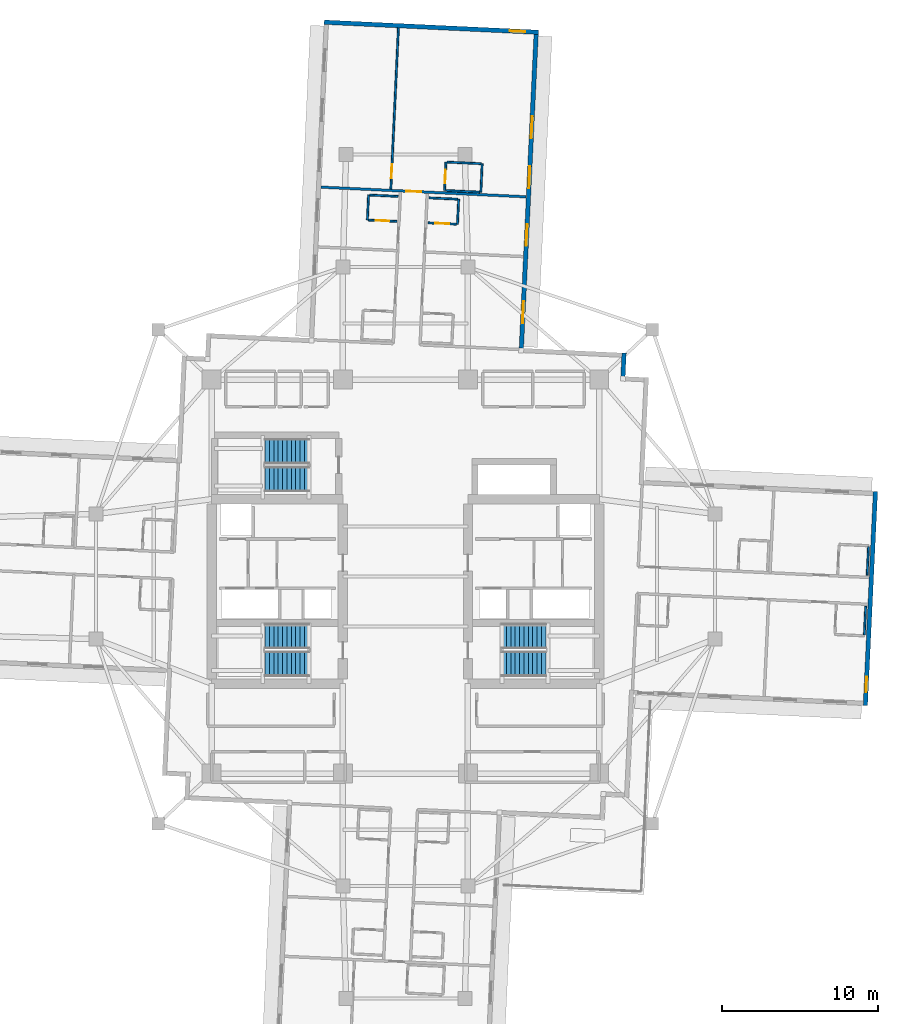
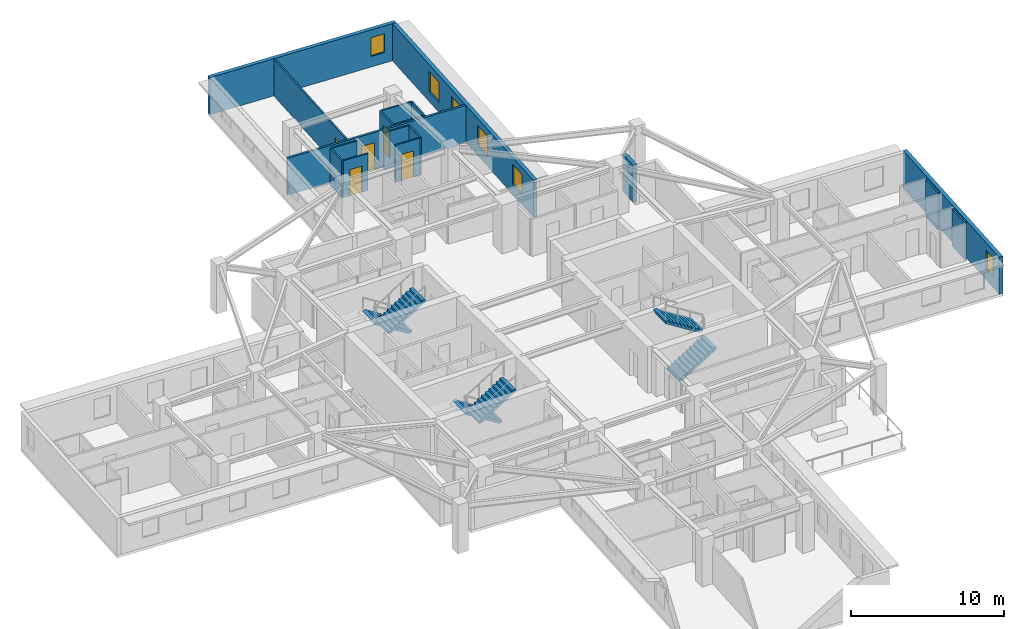
# One storey, part 9 of 14: 18 walls, 6 stair flights, 6 windows, 5 doors, 11 openings, 3 elements without a shape of their own.
"""IFC4 building model written with IfcOpenShell, lengths in metres."""

from ifc_helpers import new_model, si_unit, direction, frame, frame_2d, origin, place, context, subcontext, project, spatial, polyline, rectangle, outline, extrude, material, layer, layer_set, type_object, element, fill, aggregate, save


model = new_model("IFC4")

# Units and contexts
model_context = context("Model", 3, precision=1e-05, world=origin(), true_north=direction((0.0, 1.0)))
body_context = subcontext(model_context, "Body", "Model", "MODEL_VIEW")
ifc_project = project(units=[si_unit("LENGTHUNIT", "METRE"), si_unit("AREAUNIT", "SQUARE_METRE"), si_unit("VOLUMEUNIT", "CUBIC_METRE"), si_unit("PLANEANGLEUNIT", "RADIAN"), si_unit("MASSUNIT", "GRAM", prefix="KILO")], contexts=[model_context])

# Site, building, storey
site_placement = place(None, origin())
site = spatial("IfcSite", under=ifc_project, at=site_placement, CompositionType="ELEMENT")
building_placement = place(site_placement, origin())
building = spatial("IfcBuilding", under=site, at=building_placement, Name="Qingluan Cross Belvedere", CompositionType="ELEMENT")
storey_placement = place(building_placement, frame((0.0, 0.0, 172.199951171875)))
storey = spatial("IfcBuildingStorey", under=building, at=storey_placement, Name="L43", CompositionType="ELEMENT", Elevation=172.199951171875)

# Wall, opening, door
ifc_material_1 = material(Name="Gypsum plasterboard on steel stud acoustic partition", Category="steel")
ifc_layer_1 = layer(ifc_material_1, 0.159912109375, Name="CorridorPartition_160")
ifc_layer_set_1 = layer_set([ifc_layer_1], Name="Gypsum plasterboard on steel stud acoustic partition")
wall_type_1 = type_object("IfcWallType", Name="CorridorPartition_160", PredefinedType="PARTITIONING", material=ifc_layer_set_1)
wall_1_placement = place(storey_placement, frame((-5.404541015625, 24.912109375, 0.0), z_axis=(0.0, 0.0, 1.0), x_axis=(0.998889967692, -0.047104484326, 0.0)))
wall_1 = element("IfcWall", 1, at=wall_1_placement, inside=storey, type_object=wall_type_1, Name="Partition L43:Ncap:in", PredefinedType="PARTITIONING", context=body_context, shape_type="SweptSolid", body=[
    extrude(rectangle(XDim=13.14404296875, YDim=0.159912109375, at=frame_2d((6.572021484375, 0.0))), origin(), (0.0, 0.0, 1.0), 2.9599609375),
])
opening_1_placement = place(wall_1_placement, frame((5.471923828125, 0.0, 0.0)))
opening_1 = element("IfcOpeningElement", 2, at=opening_1_placement, cuts=wall_1, Name="Opening GD-10", PredefinedType="OPENING", context=body_context, shape_type="SweptSolid", body=[
    extrude(rectangle(XDim=0.9599609375, YDim=2.14990234375, at=frame_2d((0.47998046875, 1.074951171875))), frame((0.0, 0.08984375, 0.0), z_axis=(0.0, -1.0, 0.0), x_axis=(1.0, 0.0, 0.0)), (0.0, 0.0, 1.0), 0.179931640625),
])
ifc_material_2 = material(Name="Timber oak fire-rated acoustic guestroom door", Category="wood")
door_type_1 = type_object("IfcDoorType", Name="GuestEntryDoor_FD60", OperationType="NOTDEFINED", PredefinedType="DOOR", material=ifc_material_2)
door_1_placement = place(opening_1_placement, origin())
door_1 = element("IfcDoor", 3, at=door_1_placement, inside=storey, type_object=door_type_1, Name="Horizon corner suite door L43N", OperationType="SINGLE_SWING_LEFT", OverallHeight=2.14990234375, OverallWidth=0.9599609375, PredefinedType="DOOR", context=body_context, shape_type="SweptSolid", body=[
    extrude(rectangle(XDim=0.9599609375, YDim=2.14990234375, at=frame_2d((0.47998046875, 1.074951171875))), frame((0.0, 0.02490234375, 0.0), z_axis=(0.0, -1.0, 0.0), x_axis=(1.0, 0.0, 0.0)), (0.0, 0.0, 1.0), 0.050048828125),
])
fill(opening_1, door_1)

# Walls
ifc_material_3 = material(Name="Moisture-resistant gypsum board lining")
ifc_layer_2 = layer(ifc_material_3, 0.1201171875, Name="EnsuiteWetPartition_120")
ifc_layer_set_2 = layer_set([ifc_layer_2], Name="Moisture-resistant gypsum board lining")
wall_type_2 = type_object("IfcWallType", Name="EnsuiteWetPartition_120", PredefinedType="PARTITIONING", material=ifc_layer_set_2)
wall_2_placement = place(storey_placement, frame((29.537109375, 0.088623046875, 0.0), z_axis=(0.0, 0.0, 1.0), x_axis=(0.047080807099, 0.998891083954, 0.0)))
element("IfcWall", 4, at=wall_2_placement, inside=storey, type_object=wall_type_2, Name="Partition L43:E:bw0_1", PredefinedType="PARTITIONING", context=body_context, shape_type="SweptSolid", body=[
    extrude(rectangle(XDim=1.820068359375, YDim=0.1201171875, at=frame_2d((0.91015625, 0.0))), origin(), (0.0, 0.0, 1.0), 2.9599609375),
])
wall_3_placement = place(storey_placement, frame((29.35693359375, -3.72705078125, 0.0), z_axis=(0.0, 0.0, 1.0), x_axis=(0.047220968666, 0.998884467853, 0.0)))
element("IfcWall", 5, at=wall_3_placement, inside=storey, type_object=wall_type_2, Name="Partition L43:E:bw1_1", PredefinedType="PARTITIONING", context=body_context, shape_type="SweptSolid", body=[
    extrude(rectangle(XDim=1.81982421875, YDim=0.1201171875, at=frame_2d((0.909912109375, 0.0))), origin(), (0.0, 0.0, 1.0), 2.9599609375),
])

# Wall, opening, door
wall_4_placement = place(storey_placement, frame((1.447509765625, 22.626953125, 0.0), z_axis=(0.0, 0.0, 1.0), x_axis=(0.998890786574, -0.047087116047, 0.0)))
wall_4 = element("IfcWall", 6, at=wall_4_placement, inside=storey, type_object=wall_type_2, Name="Partition L43:N:bs0_1", PredefinedType="PARTITIONING", context=body_context, shape_type="SweptSolid", body=[
    extrude(rectangle(XDim=1.81982421875, YDim=0.1201171875, at=frame_2d((0.909912109375, 0.0))), origin(), (0.0, 0.0, 1.0), 2.9599609375),
])
opening_2_placement = place(wall_4_placement, frame((0.469970703125, 0.0, 0.0)))
opening_2 = element("IfcOpeningElement", 7, at=opening_2_placement, cuts=wall_4, Name="Opening BD-09", PredefinedType="OPENING", context=body_context, shape_type="SweptSolid", body=[
    extrude(rectangle(XDim=0.8798828125, YDim=2.10009765625, at=frame_2d((0.43994140625, 1.050048828125))), frame((0.0, 0.070068359375, 0.0), z_axis=(0.0, -1.0, 0.0), x_axis=(1.0, 0.0, 0.0)), (0.0, 0.0, 1.0), 0.14013671875),
])
ifc_material_4 = material(Name="Moisture-sealed timber en-suite door", Category="wood")
door_type_2 = type_object("IfcDoorType", Name="BathroomDoor_880", OperationType="NOTDEFINED", PredefinedType="DOOR", material=ifc_material_4)
door_2_placement = place(opening_2_placement, origin())
door_2 = element("IfcDoor", 8, at=door_2_placement, inside=storey, type_object=door_type_2, Name="Bathroom door 4312", OperationType="SINGLE_SWING_LEFT", OverallHeight=2.10009765625, OverallWidth=0.8798828125, PredefinedType="DOOR", context=body_context, shape_type="SweptSolid", body=[
    extrude(rectangle(XDim=0.8798828125, YDim=2.10009765625, at=frame_2d((0.43994140625, 1.050048828125))), frame((0.0, 0.02490234375, 0.0), z_axis=(0.0, -1.0, 0.0), x_axis=(1.0, 0.0, 0.0)), (0.0, 0.0, 1.0), 0.050048828125),
])
fill(opening_2, door_2)

# Walls
wall_5_placement = place(storey_placement, frame((1.52294921875, 24.22509765625, 0.0), z_axis=(0.0, 0.0, 1.0), x_axis=(0.998890786574, -0.047087116047, 0.0)))
element("IfcWall", 9, at=wall_5_placement, inside=storey, type_object=wall_type_2, Name="Partition L43:N:bw0_1", PredefinedType="PARTITIONING", context=body_context, shape_type="SweptSolid", body=[
    extrude(rectangle(XDim=1.81982421875, YDim=0.1201171875, at=frame_2d((0.909912109375, 0.0))), origin(), (0.0, 0.0, 1.0), 2.9599609375),
])
wall_6_placement = place(storey_placement, frame((3.330322265625, 22.5380859375, 0.0), z_axis=(0.0, 0.0, 1.0), x_axis=(0.047144709581, 0.998888069985, 0.0)))
element("IfcWall", 10, at=wall_6_placement, inside=storey, type_object=wall_type_2, Name="Partition L43:N:bn0_1", PredefinedType="PARTITIONING", context=body_context, shape_type="SweptSolid", body=[
    extrude(rectangle(XDim=1.60009765625, YDim=0.1201171875, at=frame_2d((0.800048828125, 0.0))), origin(), (0.0, 0.0, 1.0), 2.9599609375),
])

# Wall, opening, door
wall_7_placement = place(storey_placement, frame((-2.368408203125, 22.806884765625, 0.0), z_axis=(0.0, 0.0, 1.0), x_axis=(0.998891083954, -0.047080807099, 0.0)))
wall_7 = element("IfcWall", 11, at=wall_7_placement, inside=storey, type_object=wall_type_2, Name="Partition L43:N:bs1_1", PredefinedType="PARTITIONING", context=body_context, shape_type="SweptSolid", body=[
    extrude(rectangle(XDim=1.820068359375, YDim=0.1201171875, at=frame_2d((0.91015625, 0.0))), origin(), (0.0, 0.0, 1.0), 2.9599609375),
])
opening_3_placement = place(wall_7_placement, frame((0.469970703125, 0.0, 0.0)))
opening_3 = element("IfcOpeningElement", 12, at=opening_3_placement, cuts=wall_7, Name="Opening BD-09", PredefinedType="OPENING", context=body_context, shape_type="SweptSolid", body=[
    extrude(rectangle(XDim=0.8798828125, YDim=2.10009765625, at=frame_2d((0.43994140625, 1.050048828125))), frame((0.0, 0.070068359375, 0.0), z_axis=(0.0, -1.0, 0.0), x_axis=(1.0, 0.0, 0.0)), (0.0, 0.0, 1.0), 0.14013671875),
])
door_3_placement = place(opening_3_placement, origin())
door_3 = element("IfcDoor", 13, at=door_3_placement, inside=storey, type_object=door_type_2, Name="Bathroom door 4314", OperationType="SINGLE_SWING_LEFT", OverallHeight=2.10009765625, OverallWidth=0.8798828125, PredefinedType="DOOR", context=body_context, shape_type="SweptSolid", body=[
    extrude(rectangle(XDim=0.8798828125, YDim=2.10009765625, at=frame_2d((0.43994140625, 1.050048828125))), frame((0.0, 0.02490234375, 0.0), z_axis=(0.0, -1.0, 0.0), x_axis=(1.0, 0.0, 0.0)), (0.0, 0.0, 1.0), 0.050048828125),
])
fill(opening_3, door_3)

# Walls
wall_8_placement = place(storey_placement, frame((-2.29296875, 24.405029296875, 0.0), z_axis=(0.0, 0.0, 1.0), x_axis=(0.998891083954, -0.047080807099, 0.0)))
element("IfcWall", 14, at=wall_8_placement, inside=storey, type_object=wall_type_2, Name="Partition L43:N:bw1_1", PredefinedType="PARTITIONING", context=body_context, shape_type="SweptSolid", body=[
    extrude(rectangle(XDim=1.820068359375, YDim=0.1201171875, at=frame_2d((0.91015625, 0.0))), origin(), (0.0, 0.0, 1.0), 2.9599609375),
])
wall_9_placement = place(storey_placement, frame((-2.43310546875, 22.809814453125, 0.0), z_axis=(0.0, 0.0, 1.0), x_axis=(0.046992475174, 0.998895243395, 0.0)))
element("IfcWall", 15, at=wall_9_placement, inside=storey, type_object=wall_type_2, Name="Partition L43:N:bc1_1", PredefinedType="PARTITIONING", context=body_context, shape_type="SweptSolid", body=[
    extrude(rectangle(XDim=1.60009765625, YDim=0.1201171875, at=frame_2d((0.800048828125, 0.0))), origin(), (0.0, 0.0, 1.0), 2.9599609375),
])

# Wall, opening, door
wall_10_placement = place(storey_placement, frame((-0.93310546875, 24.79150390625, 0.0), z_axis=(0.0, 0.0, 1.0), x_axis=(0.047090456762, 0.998890629089, 0.0)))
wall_10 = element("IfcWall", 16, at=wall_10_placement, inside=storey, type_object=wall_type_2, Name="Partition L43:Ncap:m2", PredefinedType="PARTITIONING", context=body_context, shape_type="SweptSolid", body=[
    extrude(rectangle(XDim=10.31201171875, YDim=0.1201171875, at=frame_2d((5.156005859375, 0.0))), origin(), (0.0, 0.0, 1.0), 2.9599609375),
])
opening_4_placement = place(wall_10_placement, frame((0.699951171875, 0.0, 0.0)))
opening_4 = element("IfcOpeningElement", 17, at=opening_4_placement, cuts=wall_10, Name="Opening BD-89", PredefinedType="OPENING", context=body_context, shape_type="SweptSolid", body=[
    extrude(rectangle(XDim=0.89990234375, YDim=2.10009765625, at=frame_2d((0.449951171875, 1.050048828125))), frame((0.0, 0.070068359375, 0.0), z_axis=(0.0, -1.0, 0.0), x_axis=(1.0, 0.0, 0.0)), (0.0, 0.0, 1.0), 0.14013671875),
])
ifc_material_5 = material(Name="Timber acoustic study door", Category="wood")
door_type_3 = type_object("IfcDoorType", Name="SuiteStudyDoor_900", OperationType="NOTDEFINED", PredefinedType="DOOR", material=ifc_material_5)
door_4_placement = place(opening_4_placement, origin())
door_4 = element("IfcDoor", 18, at=door_4_placement, inside=storey, type_object=door_type_3, Name="Suite private study door L43N", OperationType="SINGLE_SWING_LEFT", OverallHeight=2.10009765625, OverallWidth=0.89990234375, PredefinedType="DOOR", context=body_context, shape_type="SweptSolid", body=[
    extrude(rectangle(XDim=0.89990234375, YDim=2.10009765625, at=frame_2d((0.449951171875, 1.050048828125))), frame((0.0, 0.02490234375, 0.0), z_axis=(0.0, -1.0, 0.0), x_axis=(1.0, 0.0, 0.0)), (0.0, 0.0, 1.0), 0.050048828125),
])
fill(opening_4, door_4)

wall_11_placement = place(storey_placement, frame((2.50634765625, 24.699462890625, 0.0), z_axis=(0.0, 0.0, 1.0), x_axis=(0.047087116047, 0.998890786574, 0.0)))
wall_11 = element("IfcWall", 19, at=wall_11_placement, inside=storey, type_object=wall_type_2, Name="Partition L43:Ncap:b2s", PredefinedType="PARTITIONING", context=body_context, shape_type="SweptSolid", body=[
    extrude(rectangle(XDim=1.81982421875, YDim=0.1201171875, at=frame_2d((0.909912109375, 0.0))), origin(), (0.0, 0.0, 1.0), 2.9599609375),
])
opening_5_placement = place(wall_11_placement, frame((0.449951171875, 0.0, 0.0)))
opening_5 = element("IfcOpeningElement", 20, at=opening_5_placement, cuts=wall_11, Name="Opening BD-09", PredefinedType="OPENING", context=body_context, shape_type="SweptSolid", body=[
    extrude(rectangle(XDim=0.8798828125, YDim=2.10009765625, at=frame_2d((0.43994140625, 1.050048828125))), frame((0.0, 0.070068359375, 0.0), z_axis=(0.0, -1.0, 0.0), x_axis=(1.0, 0.0, 0.0)), (0.0, 0.0, 1.0), 0.14013671875),
])
door_5_placement = place(opening_5_placement, origin())
door_5 = element("IfcDoor", 21, at=door_5_placement, inside=storey, type_object=door_type_2, Name="En-suite bathroom door L43N", OperationType="SINGLE_SWING_RIGHT", OverallHeight=2.10009765625, OverallWidth=0.8798828125, PredefinedType="DOOR", context=body_context, shape_type="SweptSolid", body=[
    extrude(rectangle(XDim=0.8798828125, YDim=2.10009765625, at=frame_2d((0.43994140625, 1.050048828125))), frame((0.0, 0.02490234375, 0.0), z_axis=(0.0, -1.0, 0.0), x_axis=(1.0, 0.0, 0.0)), (0.0, 0.0, 1.0), 0.050048828125),
])
fill(opening_5, door_5)

# Walls
wall_12_placement = place(storey_placement, frame((4.82373046875, 24.590087890625, 0.0), z_axis=(0.0, 0.0, 1.0), x_axis=(0.047087116047, 0.998890786574, 0.0)))
element("IfcWall", 22, at=wall_12_placement, inside=storey, type_object=wall_type_2, Name="Partition L43:Ncap:b2b", PredefinedType="PARTITIONING", context=body_context, shape_type="SweptSolid", body=[
    extrude(rectangle(XDim=1.81982421875, YDim=0.1201171875, at=frame_2d((0.909912109375, 0.0))), origin(), (0.0, 0.0, 1.0), 2.9599609375),
])
for number, where, z_axis, x_axis, name in (
    (23, (2.576171875, 24.696044921875, 0.0), (0.0, 0.0, 1.0), (0.998893331673, -0.047033094092, 0.0), "Partition L43:Ncap:b2a"),
    (24, (2.661865234375, 26.513916015625, 0.0), (0.0, 0.0, 1.0), (0.998893331673, -0.047033094092, 0.0), "Partition L43:Ncap:b2n"),
):
    element("IfcWall", number, at=place(storey_placement, frame(where, z_axis=z_axis, x_axis=x_axis)), inside=storey, type_object=wall_type_2, Name=name, PredefinedType="PARTITIONING", context=body_context, shape_type="SweptSolid", body=[
        extrude(rectangle(XDim=2.18017578125, YDim=0.1201171875, at=frame_2d((1.090087890625, 0.0))), origin(), (0.0, 0.0, 1.0), 2.9599609375),
    ])

# Wall, opening, window
ifc_material_6 = material(Name="Precast concrete C45", Category="concrete")
ifc_layer_3 = layer(ifc_material_6, 0.280029296875, Name="PrecastFacadeWall_280")
ifc_layer_set_3 = layer_set([ifc_layer_3], Name="Precast concrete C45")
wall_type_3 = type_object("IfcWallType", Name="PrecastFacadeWall_280", PredefinedType="STANDARD", material=ifc_layer_set_3)
wall_13_placement = place(storey_placement, frame((29.423828125, -8.255126953125, 0.0), z_axis=(0.0, 0.0, 1.0), x_axis=(0.047101845086, 0.998890092147, 0.0)))
wall_13 = element("IfcWall", 25, at=wall_13_placement, inside=storey, type_object=wall_type_3, Name="Arm tip precast facade wall L43-E", PredefinedType="STANDARD", context=body_context, shape_type="SweptSolid", body=[
    extrude(rectangle(XDim=13.719970703125, YDim=0.280029296875, at=frame_2d((6.85986328125, 0.0))), origin(), (0.0, 0.0, 1.0), 2.969970703125),
])
opening_6_placement = place(wall_13_placement, frame((0.85009765625, 0.0, 0.85009765625)))
opening_6 = element("IfcOpeningElement", 26, at=opening_6_placement, cuts=wall_13, Name="Opening W-03", PredefinedType="OPENING", context=body_context, shape_type="SweptSolid", body=[
    extrude(rectangle(XDim=1.0, YDim=1.5, at=frame_2d((0.5, 0.75))), frame((0.0, 0.14990234375, 0.0), z_axis=(0.0, -1.0, 0.0), x_axis=(1.0, 0.0, 0.0)), (0.0, 0.0, 1.0), 0.300048828125),
])
ifc_material_7 = material(Name="Thermally broken triple Low-E glass in aluminium frame", Category="aluminium")
window_type_1 = type_object("IfcWindowType", Name="TriApexWin_1000x1500", PartitioningType="SINGLE_PANEL", PredefinedType="WINDOW", material=ifc_material_7)
window_1_placement = place(opening_6_placement, origin())
window_1 = element("IfcWindow", 27, at=window_1_placement, inside=storey, type_object=window_type_1, Name="Arm tip triangular window L43-E", OverallHeight=1.5, OverallWidth=1.0, PartitioningType="SINGLE_PANEL", PredefinedType="WINDOW", context=body_context, shape_type="SweptSolid", body=[
    extrude(rectangle(XDim=1.0, YDim=1.5, at=frame_2d((0.5, 0.75))), frame((0.0, 0.030029296875, 0.0), z_axis=(0.0, -1.0, 0.0), x_axis=(1.0, 0.0, 0.0)), (0.0, 0.0, 1.0), 0.06005859375),
])
fill(opening_6, window_1)

# Wall, openings, windows
wall_14_placement = place(storey_placement, frame((7.416259765625, 14.60693359375, 0.0), z_axis=(0.0, 0.0, 1.0), x_axis=(0.047103473814, 0.998890015344, 0.0)))
wall_14 = element("IfcWall", 28, at=wall_14_placement, inside=storey, type_object=wall_type_3, Name="Facade wall L43-NA", PredefinedType="STANDARD", context=body_context, shape_type="SweptSolid", body=[
    extrude(rectangle(XDim=20.099853515625, YDim=0.280029296875, at=frame_2d((10.0498046875, 0.0))), origin(), (0.0, 0.0, 1.0), 2.969970703125),
])
opening_7_placement = place(wall_14_placement, frame((1.60009765625, 0.0, 0.800048828125)))
opening_7 = element("IfcOpeningElement", 29, at=opening_7_placement, cuts=wall_14, Name="Opening W-01", PredefinedType="OPENING", context=body_context, shape_type="SweptSolid", body=[
    extrude(rectangle(XDim=1.39990234375, YDim=1.60009765625, at=frame_2d((0.699951171875, 0.800048828125))), frame((0.0, 0.14990234375, 0.0), z_axis=(0.0, -1.0, 0.0), x_axis=(1.0, 0.0, 0.0)), (0.0, 0.0, 1.0), 0.300048828125),
])
opening_8_placement = place(wall_14_placement, frame((6.550048828125, 0.0, 0.800048828125)))
opening_8 = element("IfcOpeningElement", 30, at=opening_8_placement, cuts=wall_14, Name="Opening W-01", PredefinedType="OPENING", context=body_context, shape_type="SweptSolid", body=[
    extrude(rectangle(XDim=1.39990234375, YDim=1.60009765625, at=frame_2d((0.699951171875, 0.800048828125))), frame((0.0, 0.14990234375, 0.0), z_axis=(0.0, -1.0, 0.0), x_axis=(1.0, 0.0, 0.0)), (0.0, 0.0, 1.0), 0.300048828125),
])
opening_9_placement = place(wall_14_placement, frame((10.25, 0.0, 0.800048828125)))
opening_9 = element("IfcOpeningElement", 31, at=opening_9_placement, cuts=wall_14, Name="Opening W-01", PredefinedType="OPENING", context=body_context, shape_type="SweptSolid", body=[
    extrude(rectangle(XDim=1.39990234375, YDim=1.60009765625, at=frame_2d((0.699951171875, 0.800048828125))), frame((0.0, 0.14990234375, 0.0), z_axis=(0.0, -1.0, 0.0), x_axis=(1.0, 0.0, 0.0)), (0.0, 0.0, 1.0), 0.300048828125),
])
opening_10_placement = place(wall_14_placement, frame((13.449951171875, 0.0, 0.800048828125)))
opening_10 = element("IfcOpeningElement", 32, at=opening_10_placement, cuts=wall_14, Name="Opening W-01", PredefinedType="OPENING", context=body_context, shape_type="SweptSolid", body=[
    extrude(rectangle(XDim=1.39990234375, YDim=1.60009765625, at=frame_2d((0.699951171875, 0.800048828125))), frame((0.0, 0.14990234375, 0.0), z_axis=(0.0, -1.0, 0.0), x_axis=(1.0, 0.0, 0.0)), (0.0, 0.0, 1.0), 0.300048828125),
])
ifc_material_8 = material(Name="Thermally broken triple Low-E glass in aluminium frame", Category="aluminium")
window_type_2 = type_object("IfcWindowType", Name="TriRibbonWin_1400x1600", PartitioningType="SINGLE_PANEL", PredefinedType="WINDOW", material=ifc_material_8)
window_2_placement = place(opening_7_placement, origin())
window_2 = element("IfcWindow", 33, at=window_2_placement, inside=storey, type_object=window_type_2, Name="Ribbon window L43-NA-1", OverallHeight=1.60009765625, OverallWidth=1.39990234375, PartitioningType="SINGLE_PANEL", PredefinedType="WINDOW", context=body_context, shape_type="SweptSolid", body=[
    extrude(rectangle(XDim=1.39990234375, YDim=1.60009765625, at=frame_2d((0.699951171875, 0.800048828125))), frame((0.0, 0.030029296875, 0.0), z_axis=(0.0, -1.0, 0.0), x_axis=(1.0, 0.0, 0.0)), (0.0, 0.0, 1.0), 0.06005859375),
])
fill(opening_7, window_2)
window_3_placement = place(opening_8_placement, origin())
window_3 = element("IfcWindow", 34, at=window_3_placement, inside=storey, type_object=window_type_2, Name="Ribbon window L43-NA-2", OverallHeight=1.60009765625, OverallWidth=1.39990234375, PartitioningType="SINGLE_PANEL", PredefinedType="WINDOW", context=body_context, shape_type="SweptSolid", body=[
    extrude(rectangle(XDim=1.39990234375, YDim=1.60009765625, at=frame_2d((0.699951171875, 0.800048828125))), frame((0.0, 0.030029296875, 0.0), z_axis=(0.0, -1.0, 0.0), x_axis=(1.0, 0.0, 0.0)), (0.0, 0.0, 1.0), 0.06005859375),
])
fill(opening_8, window_3)
window_4_placement = place(opening_9_placement, origin())
window_4 = element("IfcWindow", 35, at=window_4_placement, inside=storey, type_object=window_type_2, Name="Ribbon window L43-NA-3", OverallHeight=1.60009765625, OverallWidth=1.39990234375, PartitioningType="SINGLE_PANEL", PredefinedType="WINDOW", context=body_context, shape_type="SweptSolid", body=[
    extrude(rectangle(XDim=1.39990234375, YDim=1.60009765625, at=frame_2d((0.699951171875, 0.800048828125))), frame((0.0, 0.030029296875, 0.0), z_axis=(0.0, -1.0, 0.0), x_axis=(1.0, 0.0, 0.0)), (0.0, 0.0, 1.0), 0.06005859375),
])
fill(opening_9, window_4)
window_5_placement = place(opening_10_placement, origin())
window_5 = element("IfcWindow", 36, at=window_5_placement, inside=storey, type_object=window_type_2, Name="Ribbon window L43-NA-4", OverallHeight=1.60009765625, OverallWidth=1.39990234375, PartitioningType="SINGLE_PANEL", PredefinedType="WINDOW", context=body_context, shape_type="SweptSolid", body=[
    extrude(rectangle(XDim=1.39990234375, YDim=1.60009765625, at=frame_2d((0.699951171875, 0.800048828125))), frame((0.0, 0.030029296875, 0.0), z_axis=(0.0, -1.0, 0.0), x_axis=(1.0, 0.0, 0.0)), (0.0, 0.0, 1.0), 0.06005859375),
])
fill(opening_10, window_5)

# Wall, opening, window
wall_15_placement = place(storey_placement, frame((8.509521484375, 34.81787109375, 0.0), z_axis=(0.0, 0.0, 1.0), x_axis=(-0.998890092147, 0.047101845086, 0.0)))
wall_15 = element("IfcWall", 37, at=wall_15_placement, inside=storey, type_object=wall_type_3, Name="Arm tip precast facade wall L43-N", PredefinedType="STANDARD", context=body_context, shape_type="SweptSolid", body=[
    extrude(rectangle(XDim=13.719970703125, YDim=0.280029296875, at=frame_2d((6.85986328125, 0.0))), origin(), (0.0, 0.0, 1.0), 2.969970703125),
])
opening_11_placement = place(wall_15_placement, frame((0.85009765625, 0.0, 0.85009765625)))
opening_11 = element("IfcOpeningElement", 38, at=opening_11_placement, cuts=wall_15, Name="Opening W-03", PredefinedType="OPENING", context=body_context, shape_type="SweptSolid", body=[
    extrude(rectangle(XDim=1.0, YDim=1.5, at=frame_2d((0.5, 0.75))), frame((0.0, 0.14990234375, 0.0), z_axis=(0.0, -1.0, 0.0), x_axis=(1.0, 0.0, 0.0)), (0.0, 0.0, 1.0), 0.300048828125),
])
window_6_placement = place(opening_11_placement, origin())
window_6 = element("IfcWindow", 39, at=window_6_placement, inside=storey, type_object=window_type_1, Name="Arm tip triangular window L43-N", OverallHeight=1.5, OverallWidth=1.0, PartitioningType="SINGLE_PANEL", PredefinedType="WINDOW", context=body_context, shape_type="SweptSolid", body=[
    extrude(rectangle(XDim=1.0, YDim=1.5, at=frame_2d((0.5, 0.75))), frame((0.0, 0.030029296875, 0.0), z_axis=(0.0, -1.0, 0.0), x_axis=(1.0, 0.0, 0.0)), (0.0, 0.0, 1.0), 0.06005859375),
])
fill(opening_11, window_6)

# Wall
wall_16_placement = place(storey_placement, frame((13.918212890625, 12.798583984375, 0.0), z_axis=(0.0, 0.0, 1.0), x_axis=(0.047201688113, 0.99888537913, 0.0)))
element("IfcWall", 40, at=wall_16_placement, inside=storey, type_object=wall_type_3, Name="Corner wall L43-NE3", PredefinedType="STANDARD", context=body_context, shape_type="SweptSolid", body=[
    extrude(rectangle(XDim=1.5, YDim=0.280029296875, at=frame_2d((0.75, 0.0))), origin(), (0.0, 0.0, 1.0), 2.969970703125),
])

# Stair, stair flights
ifc_material_9 = material(Name="Concrete C40", Category="concrete")
stair_type = type_object("IfcStairType", Name="CoreDoglegStair_1620", PredefinedType="HALF_TURN_STAIR", material=ifc_material_9)
stair_1_placement = place(storey_placement, origin())
stair_1 = element("IfcStair", 41, at=stair_1_placement, inside=storey, type_object=stair_type, Name="L43 ST1", PredefinedType="HALF_TURN_STAIR")
ifc_material_10 = material(Name="Concrete C40", Category="concrete")
ifc_layer_4 = layer(ifc_material_10, 0.179931640625, Name="StairFlight_RC180")
ifc_layer_set_4 = layer_set([ifc_layer_4], Name="Concrete C40")
stair_flight_type = type_object("IfcStairFlightType", Name="StairFlight_RC180", PredefinedType="STRAIGHT", material=ifc_layer_set_4)
stair_flight_1_placement = place(storey_placement, frame((-6.179931640625, -3.81005859375, 0.0), z_axis=(0.0, 0.0, 1.0), x_axis=(-1.0, 0.0, 0.0)))
stair_flight_1 = element("IfcStairFlight", 42, at=stair_flight_1_placement, type_object=stair_flight_type, Name="ST1 flight 1", NumberOfRisers=11, NumberOfTreads=10, PredefinedType="STRAIGHT", RiserHeight=0.177272727, TreadLength=0.28, context=body_context, shape_type="SweptSolid", body=[
    extrude(outline(polyline([(0.0, 0.0), (0.0, 0.17724609375), (0.280029296875, 0.17724609375), (0.280029296875, 0.3544921875), (0.56005859375, 0.3544921875), (0.56005859375, 0.53173828125), (0.840087890625, 0.53173828125), (0.840087890625, 0.708984375), (1.1201171875, 0.708984375), (1.1201171875, 0.886474609375), (1.39990234375, 0.886474609375), (1.39990234375, 1.063720703125), (1.679931640625, 1.063720703125), (1.679931640625, 1.240966796875), (1.9599609375, 1.240966796875), (1.9599609375, 1.418212890625), (2.239990234375, 1.418212890625), (2.239990234375, 1.595458984375), (2.52001953125, 1.595458984375), (2.52001953125, 1.772705078125), (2.800048828125, 1.772705078125), (2.800048828125, 1.949951171875), (2.800048828125, 1.59521484375), (0.2802734375, 0.0), (0.0, 0.0)])), frame((0.0, 0.81005859375, 0.0), z_axis=(0.0, -1.0, 0.0), x_axis=(1.0, 0.0, 0.0)), (0.0, 0.0, 1.0), 1.6201171875),
])
stair_flight_2_placement = place(storey_placement, frame((-8.97998046875, -5.590087890625, 1.949951171875), z_axis=(0.0, 0.0, 1.0), x_axis=(1.0, 0.0, 0.0)))
stair_flight_2 = element("IfcStairFlight", 43, at=stair_flight_2_placement, type_object=stair_flight_type, Name="ST1 flight 2", NumberOfRisers=11, NumberOfTreads=10, PredefinedType="STRAIGHT", RiserHeight=0.177272727, TreadLength=0.28, context=body_context, shape_type="SweptSolid", body=[
    extrude(outline(polyline([(0.0, 0.0), (0.0, 0.17724609375), (0.280029296875, 0.17724609375), (0.280029296875, 0.3544921875), (0.56005859375, 0.3544921875), (0.56005859375, 0.53173828125), (0.840087890625, 0.53173828125), (0.840087890625, 0.708984375), (1.1201171875, 0.708984375), (1.1201171875, 0.886474609375), (1.39990234375, 0.886474609375), (1.39990234375, 1.063720703125), (1.679931640625, 1.063720703125), (1.679931640625, 1.240966796875), (1.9599609375, 1.240966796875), (1.9599609375, 1.418212890625), (2.239990234375, 1.418212890625), (2.239990234375, 1.595458984375), (2.52001953125, 1.595458984375), (2.52001953125, 1.772705078125), (2.800048828125, 1.772705078125), (2.800048828125, 1.949951171875), (2.800048828125, 1.59521484375), (0.2802734375, 0.0), (0.0, 0.0)])), frame((0.0, 0.81005859375, 0.0), z_axis=(0.0, -1.0, 0.0), x_axis=(1.0, 0.0, 0.0)), (0.0, 0.0, 1.0), 1.6201171875),
])
aggregate(stair_1, [stair_flight_1, stair_flight_2])

stair_2_placement = place(storey_placement, origin())
stair_2 = element("IfcStair", 44, at=stair_2_placement, inside=storey, type_object=stair_type, Name="L43 ST2", PredefinedType="HALF_TURN_STAIR")
stair_flight_3_placement = place(storey_placement, frame((6.179931640625, -5.590087890625, 0.0), z_axis=(0.0, 0.0, 1.0), x_axis=(1.0, 0.0, 0.0)))
stair_flight_3 = element("IfcStairFlight", 45, at=stair_flight_3_placement, type_object=stair_flight_type, Name="ST2 flight 1", NumberOfRisers=11, NumberOfTreads=10, PredefinedType="STRAIGHT", RiserHeight=0.177272727, TreadLength=0.28, context=body_context, shape_type="SweptSolid", body=[
    extrude(outline(polyline([(0.0, 0.0), (0.0, 0.17724609375), (0.280029296875, 0.17724609375), (0.280029296875, 0.3544921875), (0.56005859375, 0.3544921875), (0.56005859375, 0.53173828125), (0.840087890625, 0.53173828125), (0.840087890625, 0.708984375), (1.1201171875, 0.708984375), (1.1201171875, 0.886474609375), (1.39990234375, 0.886474609375), (1.39990234375, 1.063720703125), (1.679931640625, 1.063720703125), (1.679931640625, 1.240966796875), (1.9599609375, 1.240966796875), (1.9599609375, 1.418212890625), (2.239990234375, 1.418212890625), (2.239990234375, 1.595458984375), (2.52001953125, 1.595458984375), (2.52001953125, 1.772705078125), (2.800048828125, 1.772705078125), (2.800048828125, 1.949951171875), (2.800048828125, 1.59521484375), (0.2802734375, 0.0), (0.0, 0.0)])), frame((0.0, 0.81005859375, 0.0), z_axis=(0.0, -1.0, 0.0), x_axis=(1.0, 0.0, 0.0)), (0.0, 0.0, 1.0), 1.6201171875),
])
stair_flight_4_placement = place(storey_placement, frame((8.97998046875, -3.81005859375, 1.949951171875), z_axis=(0.0, 0.0, 1.0), x_axis=(-1.0, 0.0, 0.0)))
stair_flight_4 = element("IfcStairFlight", 46, at=stair_flight_4_placement, type_object=stair_flight_type, Name="ST2 flight 2", NumberOfRisers=11, NumberOfTreads=10, PredefinedType="STRAIGHT", RiserHeight=0.177272727, TreadLength=0.28, context=body_context, shape_type="SweptSolid", body=[
    extrude(outline(polyline([(0.0, 0.0), (0.0, 0.17724609375), (0.280029296875, 0.17724609375), (0.280029296875, 0.3544921875), (0.56005859375, 0.3544921875), (0.56005859375, 0.53173828125), (0.840087890625, 0.53173828125), (0.840087890625, 0.708984375), (1.1201171875, 0.708984375), (1.1201171875, 0.886474609375), (1.39990234375, 0.886474609375), (1.39990234375, 1.063720703125), (1.679931640625, 1.063720703125), (1.679931640625, 1.240966796875), (1.9599609375, 1.240966796875), (1.9599609375, 1.418212890625), (2.239990234375, 1.418212890625), (2.239990234375, 1.595458984375), (2.52001953125, 1.595458984375), (2.52001953125, 1.772705078125), (2.800048828125, 1.772705078125), (2.800048828125, 1.949951171875), (2.800048828125, 1.59521484375), (0.2802734375, 0.0), (0.0, 0.0)])), frame((0.0, 0.81005859375, 0.0), z_axis=(0.0, -1.0, 0.0), x_axis=(1.0, 0.0, 0.0)), (0.0, 0.0, 1.0), 1.6201171875),
])
aggregate(stair_2, [stair_flight_3, stair_flight_4])

stair_3_placement = place(storey_placement, origin())
stair_3 = element("IfcStair", 47, at=stair_3_placement, inside=storey, type_object=stair_type, Name="L43 ST3", PredefinedType="HALF_TURN_STAIR")
stair_flight_5_placement = place(storey_placement, frame((-6.179931640625, 8.010009765625, 0.0), z_axis=(0.0, 0.0, 1.0), x_axis=(-1.0, 0.0, 0.0)))
stair_flight_5 = element("IfcStairFlight", 48, at=stair_flight_5_placement, type_object=stair_flight_type, Name="ST3 flight 1", NumberOfRisers=11, NumberOfTreads=10, PredefinedType="STRAIGHT", RiserHeight=0.177272727, TreadLength=0.28, context=body_context, shape_type="SweptSolid", body=[
    extrude(outline(polyline([(0.0, 0.0), (0.0, 0.17724609375), (0.280029296875, 0.17724609375), (0.280029296875, 0.3544921875), (0.56005859375, 0.3544921875), (0.56005859375, 0.53173828125), (0.840087890625, 0.53173828125), (0.840087890625, 0.708984375), (1.1201171875, 0.708984375), (1.1201171875, 0.886474609375), (1.39990234375, 0.886474609375), (1.39990234375, 1.063720703125), (1.679931640625, 1.063720703125), (1.679931640625, 1.240966796875), (1.9599609375, 1.240966796875), (1.9599609375, 1.418212890625), (2.239990234375, 1.418212890625), (2.239990234375, 1.595458984375), (2.52001953125, 1.595458984375), (2.52001953125, 1.772705078125), (2.800048828125, 1.772705078125), (2.800048828125, 1.949951171875), (2.800048828125, 1.59521484375), (0.2802734375, 0.0), (0.0, 0.0)])), frame((0.0, 0.81005859375, 0.0), z_axis=(0.0, -1.0, 0.0), x_axis=(1.0, 0.0, 0.0)), (0.0, 0.0, 1.0), 1.6201171875),
])
stair_flight_6_placement = place(storey_placement, frame((-8.97998046875, 6.22998046875, 1.949951171875), z_axis=(0.0, 0.0, 1.0), x_axis=(1.0, 0.0, 0.0)))
stair_flight_6 = element("IfcStairFlight", 49, at=stair_flight_6_placement, type_object=stair_flight_type, Name="ST3 flight 2", NumberOfRisers=11, NumberOfTreads=10, PredefinedType="STRAIGHT", RiserHeight=0.177272727, TreadLength=0.28, context=body_context, shape_type="SweptSolid", body=[
    extrude(outline(polyline([(0.0, 0.0), (0.0, 0.17724609375), (0.280029296875, 0.17724609375), (0.280029296875, 0.3544921875), (0.56005859375, 0.3544921875), (0.56005859375, 0.53173828125), (0.840087890625, 0.53173828125), (0.840087890625, 0.708984375), (1.1201171875, 0.708984375), (1.1201171875, 0.886474609375), (1.39990234375, 0.886474609375), (1.39990234375, 1.063720703125), (1.679931640625, 1.063720703125), (1.679931640625, 1.240966796875), (1.9599609375, 1.240966796875), (1.9599609375, 1.418212890625), (2.239990234375, 1.418212890625), (2.239990234375, 1.595458984375), (2.52001953125, 1.595458984375), (2.52001953125, 1.772705078125), (2.800048828125, 1.772705078125), (2.800048828125, 1.949951171875), (2.800048828125, 1.59521484375), (0.2802734375, 0.0), (0.0, 0.0)])), frame((0.0, 0.81005859375, 0.0), z_axis=(0.0, -1.0, 0.0), x_axis=(1.0, 0.0, 0.0)), (0.0, 0.0, 1.0), 1.6201171875),
])
aggregate(stair_3, [stair_flight_5, stair_flight_6])

save(model, "model.ifc")
